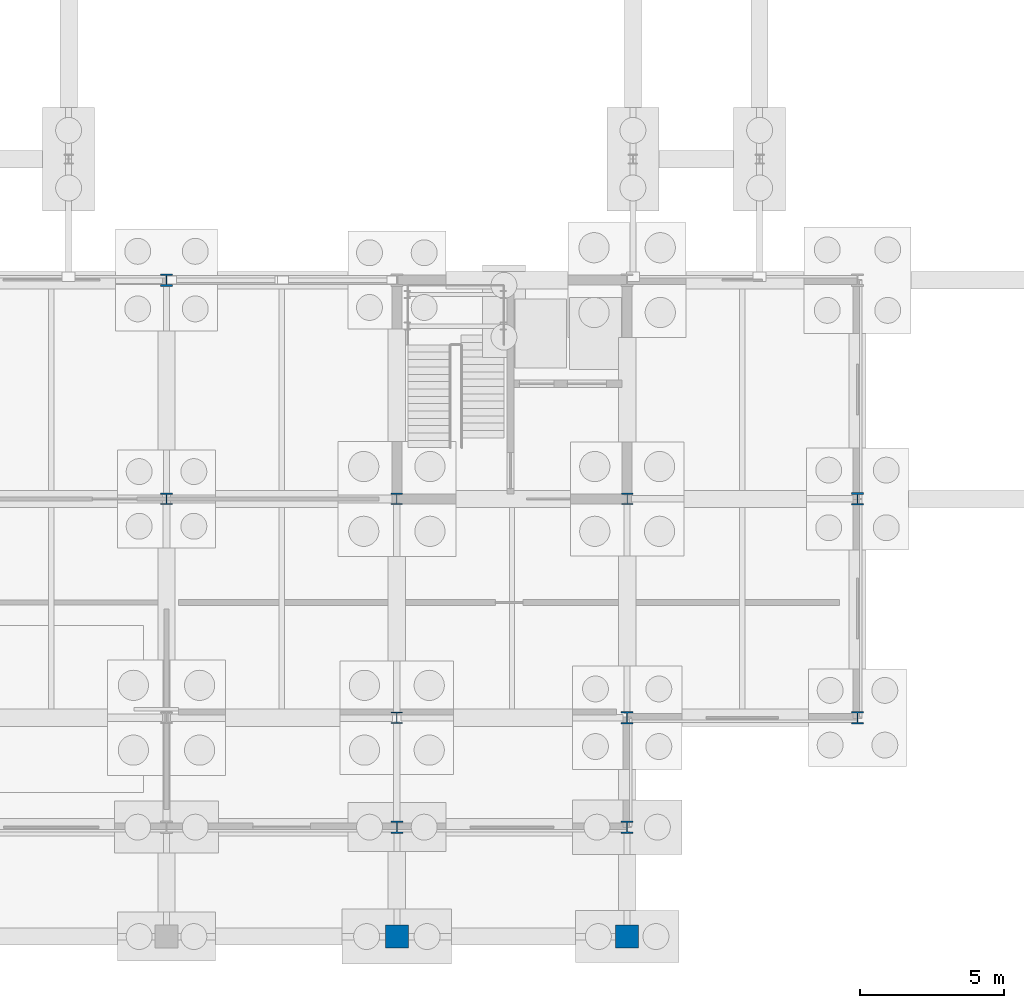
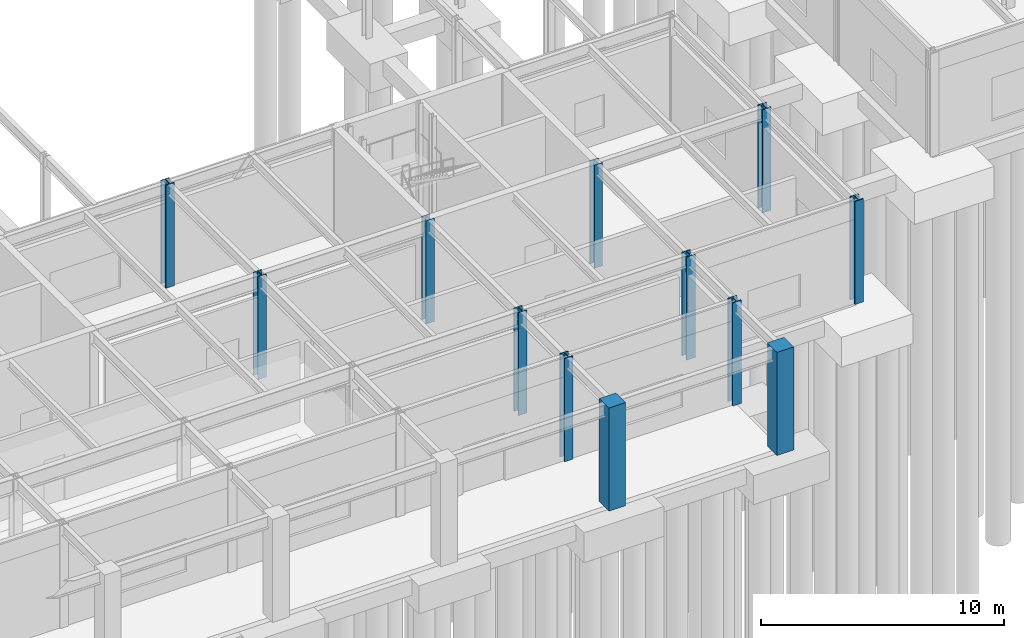
# One storey, part 10 of 62: 12 columns.
"""IFC4 building model written with IfcOpenShell, lengths in metres."""

from ifc_helpers import new_model, si_unit, direction, frame, origin, origin_2d, place, context, subcontext, project, spatial, rectangle, i_section, extrude, material, material_profile, profile_set, type_object, element, save


model = new_model("IFC4")

# Units and contexts
model_context = context("Model", 3, precision=1e-05, world=origin(), true_north=direction((0.0, 1.0)))
body_context = subcontext(model_context, "Body", "Model", "MODEL_VIEW")
ifc_project = project(units=[si_unit("LENGTHUNIT", "METRE"), si_unit("AREAUNIT", "SQUARE_METRE"), si_unit("VOLUMEUNIT", "CUBIC_METRE"), si_unit("PLANEANGLEUNIT", "RADIAN"), si_unit("MASSUNIT", "GRAM", prefix="KILO")], contexts=[model_context])

# Site, building, storey
site_placement = place(None, origin())
site = spatial("IfcSite", under=ifc_project, at=site_placement, CompositionType="ELEMENT")
building_placement = place(site_placement, origin())
building = spatial("IfcBuilding", under=site, at=building_placement, Name="Zulena Civic Courthouse", CompositionType="ELEMENT")
storey_placement = place(building_placement, origin())
storey = spatial("IfcBuildingStorey", under=building, at=storey_placement, Name="L00", CompositionType="ELEMENT", Elevation=0.0)

# Columns
ifc_material_1 = material(Name="Concrete C40/50", Category="concrete")
ifc_material_profile_1 = material_profile(ifc_material_1, rectangle(XDim=0.800048828125, YDim=0.800048828125, at=origin_2d()), Name="RC800X800")
ifc_profile_set_1 = profile_set([ifc_material_profile_1], Name="Concrete C40/50")
column_type_1 = type_object("IfcColumnType", Name="Col_RC800", PredefinedType="COLUMN", material=ifc_profile_set_1)
for number, where, z_axis, x_axis, name in (
    (1, (44.0, 0.0, 0.0), (0.0, 0.0, 1.0), (1.0, 0.0, 0.0), "col:V2:L00:arc:44.0"),
    (2, (52.0, 0.0, 0.0), (0.0, 0.0, 1.0), (1.0, 0.0, 0.0), "col:V2:L00:arc:52.0"),
):
    element("IfcColumn", number, at=place(storey_placement, frame(where, z_axis=z_axis, x_axis=x_axis)), inside=storey, type_object=column_type_1, Name=name, PredefinedType="COLUMN", context=body_context, shape_type="SweptSolid", body=[
        extrude(rectangle(XDim=0.800048828125, YDim=0.800048828125, at=origin_2d()), origin(), (0.0, 0.0, 1.0), 5.18505859375),
    ])
ifc_material_2 = material(Name="Steel ASTM A992 Grade 50", Category="steel")
ifc_material_profile_2 = material_profile(ifc_material_2, i_section(OverallWidth=0.40087890625, OverallDepth=0.39892578125, WebThickness=0.02490234375, FlangeThickness=0.03955078125, FilletRadius=0.01513671875, at=origin_2d()), Name="W14X211")
ifc_profile_set_2 = profile_set([ifc_material_profile_2], Name="Steel ASTM A992 Grade 50")
column_type_2 = type_object("IfcColumnType", Name="Col_W14X211", PredefinedType="COLUMN", material=ifc_profile_set_2)
for number, where, z_axis, x_axis, name in (
    (3, (36.0, 15.199951171875, 0.0), (0.0, 0.0, 1.0), (1.0, 0.0, 0.0), "col:V2:L00:36.0:15.2"),
    (4, (44.0, 7.60009765625, 0.0), (0.0, 0.0, 1.0), (1.0, 0.0, 0.0), "col:V2:L00:44.0:7.6"),
    (5, (44.0, 15.199951171875, 0.0), (0.0, 0.0, 1.0), (1.0, 0.0, 0.0), "col:V2:L00:44.0:15.2"),
    (6, (52.0, 15.199951171875, 0.0), (0.0, 0.0, 1.0), (1.0, 0.0, 0.0), "col:V2:L00:52.0:15.2"),
):
    element("IfcColumn", number, at=place(storey_placement, frame(where, z_axis=z_axis, x_axis=x_axis)), inside=storey, type_object=column_type_2, Name=name, PredefinedType="COLUMN", context=body_context, shape_type="SweptSolid", body=[
        extrude(i_section(OverallWidth=0.40087890625, OverallDepth=0.39892578125, WebThickness=0.02490234375, FlangeThickness=0.03955078125, FilletRadius=0.01513671875, at=origin_2d()), origin(), (0.0, 0.0, 1.0), 5.18505859375),
    ])
ifc_material_profile_3 = material_profile(ifc_material_2, i_section(OverallWidth=0.412109375, OverallDepth=0.43505859375, WebThickness=0.035888671875, FlangeThickness=0.057373046875, FilletRadius=0.01513671875, at=origin_2d()), Name="W14X311")
ifc_profile_set_3 = profile_set([ifc_material_profile_3], Name="Steel ASTM A992 Grade 50")
column_type_3 = type_object("IfcColumnType", Name="Col_W14X311", PredefinedType="COLUMN", material=ifc_profile_set_3)
for number, where, z_axis, x_axis, name in (
    (7, (36.0, 22.800048828125, 0.0), (0.0, 0.0, 1.0), (1.0, 0.0, 0.0), "col:V2:L00:36.0:22.8"),
    (8, (44.0, 3.800048828125, 0.0), (0.0, 0.0, 1.0), (1.0, 0.0, 0.0), "col:V2:L00:44.0:3.8"),
    (9, (52.0, 3.800048828125, 0.0), (0.0, 0.0, 1.0), (1.0, 0.0, 0.0), "col:V2:L00:52.0:3.8"),
    (10, (52.0, 7.60009765625, 0.0), (0.0, 0.0, 1.0), (1.0, 0.0, 0.0), "col:V2:L00:52.0:7.6"),
    (11, (60.0, 7.60009765625, 0.0), (0.0, 0.0, 1.0), (1.0, 0.0, 0.0), "col:V2:L00:60.0:7.6"),
    (12, (60.0, 15.199951171875, 0.0), (0.0, 0.0, 1.0), (1.0, 0.0, 0.0), "col:V2:L00:60.0:15.2"),
):
    element("IfcColumn", number, at=place(storey_placement, frame(where, z_axis=z_axis, x_axis=x_axis)), inside=storey, type_object=column_type_3, Name=name, PredefinedType="COLUMN", context=body_context, shape_type="SweptSolid", body=[
        extrude(i_section(OverallWidth=0.412109375, OverallDepth=0.43505859375, WebThickness=0.035888671875, FlangeThickness=0.057373046875, FilletRadius=0.01513671875, at=origin_2d()), origin(), (0.0, 0.0, 1.0), 5.18505859375),
    ])

save(model, "model.ifc")
